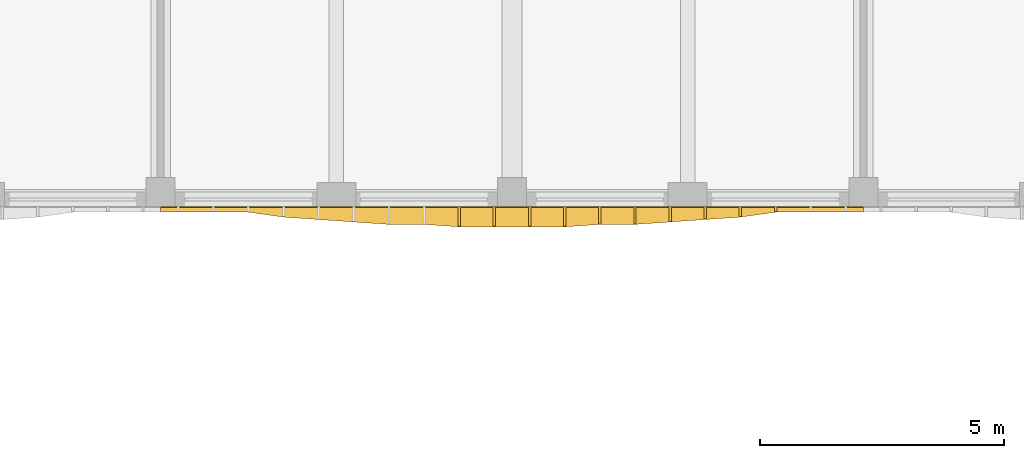
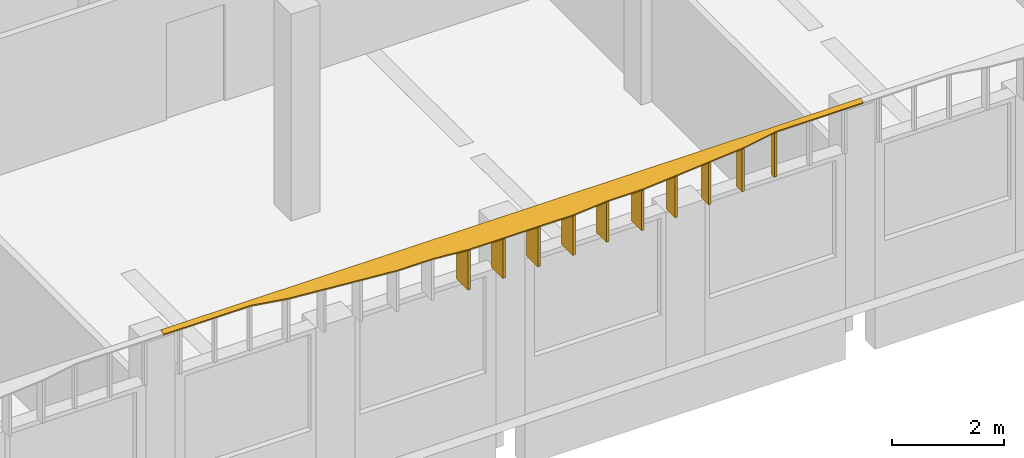
# One storey, part 29 of 38: 11 shading devices.
"""IFC4 building model written with IfcOpenShell, lengths in metres."""

import ifcopenshell
import ifcopenshell.guid

model = None  # the IFC model being written
_history = None  # IfcOwnerHistory: only IFC2X3 demands one
_inside = {}  # id of a spatial element -> (the spatial element, [elements in it])
_under = {}  # id of a project, library or spatial element -> (it, [spatial elements below it])
_declared = {}  # id of a project -> (the project, [libraries it declares])
_typed = {}  # id of a type object -> (the type object, [elements of that type])
_made_of = {}  # id of a material, layer set ... -> (it, [elements and type objects made of it])


def new_model(schema):
    """Start an empty IFC model of exactly this schema.

    Asked for "IFC4X3", IfcOpenShell would pick the latest addendum, in which some entities
    have other attributes; the version numbers below select the first issue.
    IFC2X3 requires an IfcOwnerHistory on every rooted entity: one is made here for all.
    """
    global model, _history
    if schema == "IFC4X3":
        model = ifcopenshell.file(schema_version=(4, 3, 0, 0))
    else:
        model = ifcopenshell.file(schema=schema)
    _inside.clear()
    _under.clear()
    _declared.clear()
    _typed.clear()
    _made_of.clear()
    _history = None
    if model.schema == "IFC2X3":
        org = make("IfcOrganization", Name="unknown")
        user = make(
            "IfcPersonAndOrganization",
            ThePerson=make("IfcPerson", FamilyName="unknown"),
            TheOrganization=org,
        )
        app = make(
            "IfcApplication",
            ApplicationDeveloper=org,
            Version="unknown",
            ApplicationFullName="unknown",
            ApplicationIdentifier="unknown",
        )
        _history = make(
            "IfcOwnerHistory",
            OwningUser=user,
            OwningApplication=app,
            ChangeAction="ADDED",
            CreationDate=0,
        )
    return model


def make(cls, **values):
    """One entity of the class cls with the attributes given. An attribute that is None is left unset."""
    return model.create_entity(
        cls, **{name: value for name, value in values.items() if value is not None}
    )


def rooted(cls, **values):
    """An entity with a GlobalId (a new one), such as an element, a storey or a relation."""
    return make(cls, GlobalId=ifcopenshell.guid.new(), OwnerHistory=_history, **values)


def si_unit(unit_type, name, prefix=None):
    """IfcSIUnit, for example si_unit("LENGTHUNIT", "METRE", prefix="MILLI")."""
    return make("IfcSIUnit", UnitType=unit_type, Prefix=prefix, Name=name)


def assignment(units):
    """IfcUnitAssignment: the units of a project."""
    return None if units is None else make("IfcUnitAssignment", Units=units)


def point(xyz):
    """IfcCartesianPoint."""
    return None if xyz is None else make("IfcCartesianPoint", Coordinates=xyz)


def direction(xyz):
    """IfcDirection."""
    return None if xyz is None else make("IfcDirection", DirectionRatios=xyz)


def frame(location, z_axis=None, x_axis=None):
    """IfcAxis2Placement3D, a coordinate frame: its origin and axes. An axis left out is left unset."""
    return make(
        "IfcAxis2Placement3D",
        Location=point(location),
        Axis=direction(z_axis),
        RefDirection=direction(x_axis),
    )


def origin():
    """The frame at (0, 0, 0) with its axes left unset."""
    return frame((0.0, 0.0, 0.0))


def place(relative_to, where):
    """IfcLocalPlacement: puts the frame where relative to a parent placement (None: the world)."""
    return make(
        "IfcLocalPlacement", PlacementRelTo=relative_to, RelativePlacement=where
    )


def context(
    kind, dimensions, precision=None, world=None, true_north=None, identifier=None
):
    """IfcGeometricRepresentationContext, for example the 3D "Model" context."""
    return make(
        "IfcGeometricRepresentationContext",
        ContextIdentifier=identifier,
        ContextType=kind,
        CoordinateSpaceDimension=dimensions,
        Precision=precision,
        WorldCoordinateSystem=world,
        TrueNorth=true_north,
    )


def subcontext(parent, identifier, kind, view, scale=None):
    """IfcGeometricRepresentationSubContext, for example "Body" below "Model"."""
    return make(
        "IfcGeometricRepresentationSubContext",
        ContextIdentifier=identifier,
        ContextType=kind,
        ParentContext=parent,
        TargetScale=scale,
        TargetView=view,
    )


def project(units=None, contexts=None):
    """IfcProject with its units and contexts."""
    return rooted(
        "IfcProject",
        Name="project",
        RepresentationContexts=contexts,
        UnitsInContext=assignment(units),
    )


def spatial(cls, under=None, at=None, **own):
    """A site, building, storey or space (cls), placed at a placement, below another one or the project."""
    s = rooted(cls, ObjectPlacement=at, **own)
    if under is not None:
        _under.setdefault(under.id(), (under, []))[1].append(s)
    return s


def polyline(points):
    """IfcPolyline through the points."""
    return make("IfcPolyline", Points=[point(p) for p in points])


def outline(outer, holes=None, kind="AREA"):
    """IfcArbitraryClosedProfileDef: a profile drawn as a closed curve; with holes, ...WithVoids."""
    if holes is None:
        return make("IfcArbitraryClosedProfileDef", ProfileType=kind, OuterCurve=outer)
    return make(
        "IfcArbitraryProfileDefWithVoids",
        ProfileType=kind,
        OuterCurve=outer,
        InnerCurves=holes,
    )


def extrude(swept, where, along, depth):
    """IfcExtrudedAreaSolid: the profile swept, set in the frame where, extruded along a direction by depth."""
    return make(
        "IfcExtrudedAreaSolid",
        SweptArea=swept,
        Position=where,
        ExtrudedDirection=direction(along),
        Depth=depth,
    )


def shape(context_of_items, identifier, shape_type, items):
    """IfcShapeRepresentation: the items that make up one representation, for example the "Body"."""
    return make(
        "IfcShapeRepresentation",
        ContextOfItems=context_of_items,
        RepresentationIdentifier=identifier,
        RepresentationType=shape_type,
        Items=items,
    )


def material(Name=None, Category=None):
    """IfcMaterial."""
    return make("IfcMaterial", Name=Name, Category=Category)


def layer(
    of_material, thickness, ventilated=None, Name=None, Category=None, Priority=None
):
    """IfcMaterialLayer: one layer of a wall or slab, of a material (None: an air gap)."""
    return make(
        "IfcMaterialLayer",
        Material=of_material,
        LayerThickness=thickness,
        IsVentilated=ventilated,
        Name=Name,
        Category=Category,
        Priority=Priority,
    )


def layer_set(layers, Name=None):
    """IfcMaterialLayerSet."""
    return make("IfcMaterialLayerSet", MaterialLayers=layers, LayerSetName=Name)


def made_of(thing, what):
    """Note that an element or type object is made of a material, layer set ...; save() writes the relation."""
    if what is not None:
        _made_of.setdefault(what.id(), (what, []))[1].append(thing)
    return thing


def type_object(cls, material=None, **own):
    """A type object (cls), such as IfcWallType, which elements share."""
    return made_of(rooted(cls, **own), material)


def element(
    cls,
    number,
    at=None,
    inside=None,
    cuts=None,
    type_object=None,
    material=None,
    context=None,
    identifier="Body",
    shape_type=None,
    held_by="IfcProductDefinitionShape",
    body=None,
    shapes=None,
    **own,
):
    """One element of the class cls, such as IfcWall. Its Tag is "e" and its number.

    at: its placement. inside: the storey or other place that contains it. cuts: it is an
    opening in that element (IfcRelVoidsElement). A single representation is given by context,
    identifier, shape_type and body (its items); several are given by shapes. held_by: the class
    of the entity that holds the representations. save() writes the other relations.
    """
    e = rooted(cls, Tag="e%d" % number, ObjectPlacement=at, **own)
    if body is not None:
        shapes = [shape(context, identifier, shape_type, body)]
    if shapes is not None:
        e.Representation = make(held_by, Representations=shapes)
    if inside is not None:
        _inside.setdefault(inside.id(), (inside, []))[1].append(e)
    if cuts is not None:
        rooted(
            "IfcRelVoidsElement", RelatingBuildingElement=cuts, RelatedOpeningElement=e
        )
    if type_object is not None:
        _typed.setdefault(type_object.id(), (type_object, []))[1].append(e)
    return made_of(e, material)


def aggregate(whole, parts):
    """IfcRelAggregates: a whole, such as a stair, and the parts it consists of."""
    return rooted("IfcRelAggregates", RelatingObject=whole, RelatedObjects=parts)


def save(model, path):
    """Write the relations noted so far, then the file.

    IfcRelAggregates (storeys below a building ...), IfcRelContainedInSpatialStructure (elements
    in a storey), IfcRelDefinesByType, IfcRelAssociatesMaterial and IfcRelDeclares: one each for
    every whole, place, type object, material and project.
    """
    for whole, parts in _under.values():
        aggregate(whole, parts)
    for where, things in _inside.values():
        rooted(
            "IfcRelContainedInSpatialStructure",
            RelatedElements=things,
            RelatingStructure=where,
        )
    for kind, things in _typed.values():
        rooted("IfcRelDefinesByType", RelatedObjects=things, RelatingType=kind)
    for what, things in _made_of.values():
        rooted("IfcRelAssociatesMaterial", RelatedObjects=things, RelatingMaterial=what)
    for by, libraries in _declared.values():
        rooted("IfcRelDeclares", RelatingContext=by, RelatedDefinitions=libraries)
    model.write(path)


model = new_model("IFC4")

# Units and contexts
model_context = context("Model", 3, precision=1e-05, world=origin(), true_north=direction((0.0, 1.0)))
body_context = subcontext(model_context, "Body", "Model", "MODEL_VIEW")
ifc_project = project(units=[si_unit("LENGTHUNIT", "METRE"), si_unit("AREAUNIT", "SQUARE_METRE"), si_unit("VOLUMEUNIT", "CUBIC_METRE"), si_unit("PLANEANGLEUNIT", "RADIAN"), si_unit("MASSUNIT", "GRAM", prefix="KILO")], contexts=[model_context])

# Site, building, storey
site_placement = place(None, origin())
site = spatial("IfcSite", under=ifc_project, at=site_placement, CompositionType="ELEMENT")
building_placement = place(site_placement, origin())
building = spatial("IfcBuilding", under=site, at=building_placement, Name="Ussher Court Research Institute", CompositionType="ELEMENT")
storey_placement = place(building_placement, frame((0.0, 0.0, 23.39990234375)))
storey = spatial("IfcBuildingStorey", under=building, at=storey_placement, Name="L05", CompositionType="ELEMENT", Elevation=23.39990234375)

# Shading devices
ifc_material_1 = material(Name="Bronze anodised aluminium", Category="aluminium")
ifc_layer_1 = layer(ifc_material_1, 0.050048828125)
ifc_layer_set_1 = layer_set([ifc_layer_1], Name="Bronze anodised aluminium")
shading_device_type_1 = type_object("IfcShadingDeviceType", Name="Brim blade 100 mm deep 1000 mm high canted 20 deg dry", PredefinedType="USERDEFINED", material=ifc_layer_set_1)
shading_device_1_placement = place(storey_placement, frame((66.0, 68.39990234375, 3.4501953125), z_axis=(0.0, 0.0, 1.0), x_axis=(0.0, -1.0, 0.0)))
element("IfcShadingDevice", 1, at=shading_device_1_placement, inside=storey, type_object=shading_device_type_1, Name="Brim blade BS17 L05", ObjectType="BLADE", PredefinedType="USERDEFINED", context=body_context, shape_type="SweptSolid", body=[
    extrude(outline(polyline([(0.0, 0.0), (0.099853515625, 0.0), (0.10009765625, 0.963623046875), (0.0, 1.0), (0.0, 0.0)])), frame((0.0, 0.02490234375, 0.0), z_axis=(0.0, -1.0, 0.0), x_axis=(1.0, 0.0, 0.0)), (0.0, 0.0, 1.0), 0.050048828125),
])
ifc_material_2 = material(Name="Bronze anodised aluminium", Category="aluminium")
ifc_layer_2 = layer(ifc_material_2, 0.050048828125)
ifc_layer_set_2 = layer_set([ifc_layer_2], Name="Bronze anodised aluminium")
shading_device_type_2 = type_object("IfcShadingDeviceType", Name="Brim blade 200 mm deep 1000 mm high canted 20 deg dry", PredefinedType="USERDEFINED", material=ifc_layer_set_2)
shading_device_2_placement = place(storey_placement, frame((65.280029296875, 68.39990234375, 3.4501953125), z_axis=(0.0, 0.0, 1.0), x_axis=(0.0, -1.0, 0.0)))
element("IfcShadingDevice", 2, at=shading_device_2_placement, inside=storey, type_object=shading_device_type_2, Name="Brim blade BS15 L05", ObjectType="BLADE", PredefinedType="USERDEFINED", context=body_context, shape_type="SweptSolid", body=[
    extrude(outline(polyline([(0.0, 0.0), (0.199951171875, 0.0), (0.199951171875, 0.927001953125), (0.0, 1.0), (0.0, 0.0)])), frame((0.0, 0.02490234375, 0.0), z_axis=(0.0, -1.0, 0.0), x_axis=(1.0, 0.0, 0.0)), (0.0, 0.0, 1.0), 0.050048828125),
])
ifc_material_3 = material(Name="Bronze anodised aluminium", Category="aluminium")
ifc_layer_3 = layer(ifc_material_3, 0.050048828125)
ifc_layer_set_3 = layer_set([ifc_layer_3], Name="Bronze anodised aluminium")
shading_device_type_3 = type_object("IfcShadingDeviceType", Name="Brim blade 250 mm deep 1000 mm high canted 20 deg dry", PredefinedType="USERDEFINED", material=ifc_layer_set_3)
shading_device_3_placement = place(storey_placement, frame((64.56005859375, 68.39990234375, 3.4501953125), z_axis=(0.0, 0.0, 1.0), x_axis=(0.0, -1.0, 0.0)))
element("IfcShadingDevice", 3, at=shading_device_3_placement, inside=storey, type_object=shading_device_type_3, Name="Brim blade BS14 L05", ObjectType="BLADE", PredefinedType="USERDEFINED", context=body_context, shape_type="SweptSolid", body=[
    extrude(outline(polyline([(0.0, 0.0), (0.25, 0.0), (0.25, 0.908935546875), (0.0, 1.0), (0.0, 0.0)])), frame((0.0, 0.02490234375, 0.0), z_axis=(0.0, -1.0, 0.0), x_axis=(1.0, 0.0, 0.0)), (0.0, 0.0, 1.0), 0.050048828125),
])
ifc_material_4 = material(Name="Bronze anodised aluminium", Category="aluminium")
ifc_layer_4 = layer(ifc_material_4, 0.050048828125)
ifc_layer_set_4 = layer_set([ifc_layer_4], Name="Bronze anodised aluminium")
shading_device_type_4 = type_object("IfcShadingDeviceType", Name="Brim blade 300 mm deep 1000 mm high canted 20 deg dry", PredefinedType="USERDEFINED", material=ifc_layer_set_4)
shading_device_4_placement = place(storey_placement, frame((63.840087890625, 68.39990234375, 3.4501953125), z_axis=(0.0, 0.0, 1.0), x_axis=(0.0, -1.0, 0.0)))
element("IfcShadingDevice", 4, at=shading_device_4_placement, inside=storey, type_object=shading_device_type_4, Name="Brim blade BS13 L05", ObjectType="BLADE", PredefinedType="USERDEFINED", context=body_context, shape_type="SweptSolid", body=[
    extrude(outline(polyline([(0.0, 0.0), (0.2998046875, 0.0), (0.300048828125, 0.890625), (0.0, 1.0), (0.0, 0.0)])), frame((0.0, 0.02490234375, 0.0), z_axis=(0.0, -1.0, 0.0), x_axis=(1.0, 0.0, 0.0)), (0.0, 0.0, 1.0), 0.050048828125),
])
ifc_material_5 = material(Name="Bronze anodised aluminium", Category="aluminium")
ifc_layer_5 = layer(ifc_material_5, 0.050048828125)
ifc_layer_set_5 = layer_set([ifc_layer_5], Name="Bronze anodised aluminium")
shading_device_type_5 = type_object("IfcShadingDeviceType", Name="Brim blade 350 mm deep 1000 mm high canted 20 deg dry", PredefinedType="USERDEFINED", material=ifc_layer_set_5)
for number, where, z_axis, x_axis, name in (
    (5, (63.1201171875, 68.39990234375, 3.4501953125), (0.0, 0.0, 1.0), (0.0, -1.0, 0.0), "Brim blade BS12 L05"),
    (6, (62.39990234375, 68.39990234375, 3.4501953125), (0.0, 0.0, 1.0), (0.0, -1.0, 0.0), "Brim blade BS12 L05"),
):
    element("IfcShadingDevice", number, at=place(storey_placement, frame(where, z_axis=z_axis, x_axis=x_axis)), inside=storey, type_object=shading_device_type_5, Name=name, ObjectType="BLADE", PredefinedType="USERDEFINED", context=body_context, shape_type="SweptSolid", body=[
        extrude(outline(polyline([(0.0, 0.0), (0.349853515625, 0.0), (0.35009765625, 0.87255859375), (0.0, 1.0), (0.0, 0.0)])), frame((0.0, 0.02490234375, 0.0), z_axis=(0.0, -1.0, 0.0), x_axis=(1.0, 0.0, 0.0)), (0.0, 0.0, 1.0), 0.050048828125),
    ])
ifc_material_6 = material(Name="Bronze anodised aluminium", Category="aluminium")
ifc_layer_6 = layer(ifc_material_6, 0.050048828125)
ifc_layer_set_6 = layer_set([ifc_layer_6], Name="Bronze anodised aluminium")
shading_device_type_6 = type_object("IfcShadingDeviceType", Name="Brim blade 400 mm deep 1000 mm high canted 20 deg dry", PredefinedType="USERDEFINED", material=ifc_layer_set_6)
for number, where, z_axis, x_axis, name in (
    (7, (61.679931640625, 68.39990234375, 3.4501953125), (0.0, 0.0, 1.0), (0.0, -1.0, 0.0), "Brim blade BS11 L05"),
    (8, (60.9599609375, 68.39990234375, 3.4501953125), (0.0, 0.0, 1.0), (0.0, -1.0, 0.0), "Brim blade BS11 L05"),
    (9, (60.239990234375, 68.39990234375, 3.4501953125), (0.0, 0.0, 1.0), (0.0, -1.0, 0.0), "Brim blade BS11 L05"),
    (10, (59.52001953125, 68.39990234375, 3.4501953125), (0.0, 0.0, 1.0), (0.0, -1.0, 0.0), "Brim blade BS11 L05"),
):
    element("IfcShadingDevice", number, at=place(storey_placement, frame(where, z_axis=z_axis, x_axis=x_axis)), inside=storey, type_object=shading_device_type_6, Name=name, ObjectType="BLADE", PredefinedType="USERDEFINED", context=body_context, shape_type="SweptSolid", body=[
        extrude(outline(polyline([(0.0, 0.0), (0.39990234375, 0.0), (0.39990234375, 0.854248046875), (0.0, 1.0), (0.0, 0.0)])), frame((0.0, 0.02490234375, 0.0), z_axis=(0.0, -1.0, 0.0), x_axis=(1.0, 0.0, 0.0)), (0.0, 0.0, 1.0), 0.050048828125),
    ])
ifc_material_7 = material(Name="Bronze anodised aluminium", Category="aluminium")
ifc_layer_7 = layer(ifc_material_7, 0.0400390625)
ifc_layer_set_7 = layer_set([ifc_layer_7], Name="Bronze anodised aluminium")
shading_device_type_7 = type_object("IfcShadingDeviceType", Name="Brim visor sheet 40 mm canted 20 deg dry", PredefinedType="USERDEFINED", material=ifc_layer_set_7)
shading_device_5_placement = place(storey_placement, frame((67.800048828125, 68.38623046875, 4.48779296875), z_axis=(0.0, -0.342400471463, 0.939554105489), x_axis=(-1.0, 0.0, 0.0)))
element("IfcShadingDevice", 11, at=shading_device_5_placement, inside=storey, type_object=shading_device_type_7, Name="Brim visor sheet BR2 L05", ObjectType="BRIM", PredefinedType="USERDEFINED", context=body_context, shape_type="SweptSolid", body=[
    extrude(outline(polyline([(0.0, 0.0), (14.400146484375, 0.0), (14.400146484375, 0.10627326645340238), (14.0400390625, 0.10627326645340238), (13.320068359375, 0.10627326645340238), (12.60009765625, 0.10627326645340238), (11.880126953125, 0.2128595100984436), (11.16015625, 0.2660690380558608), (10.43994140625, 0.3193621598783814), (9.719970703125, 0.37234230450926314), (9.0, 0.37234230450926314), (8.280029296875, 0.42563542633178375), (7.56005859375, 0.42563542633178375), (6.840087890625, 0.42563542633178375), (6.1201171875, 0.42563542633178375), (5.400146484375, 0.37234230450926314), (4.679931640625, 0.37234230450926314), (3.9599609375, 0.3193621598783814), (3.239990234375, 0.2660690380558608), (2.52001953125, 0.2128595100984436), (1.800048828125, 0.10627326645340238), (1.080078125, 0.10627326645340238), (0.360107421875, 0.10627326645340238), (0.0, 0.10627326645340238), (0.0, 0.0)])), origin(), (0.0, 0.0, -1.0), 0.0400390625),
])

save(model, "model.ifc")
